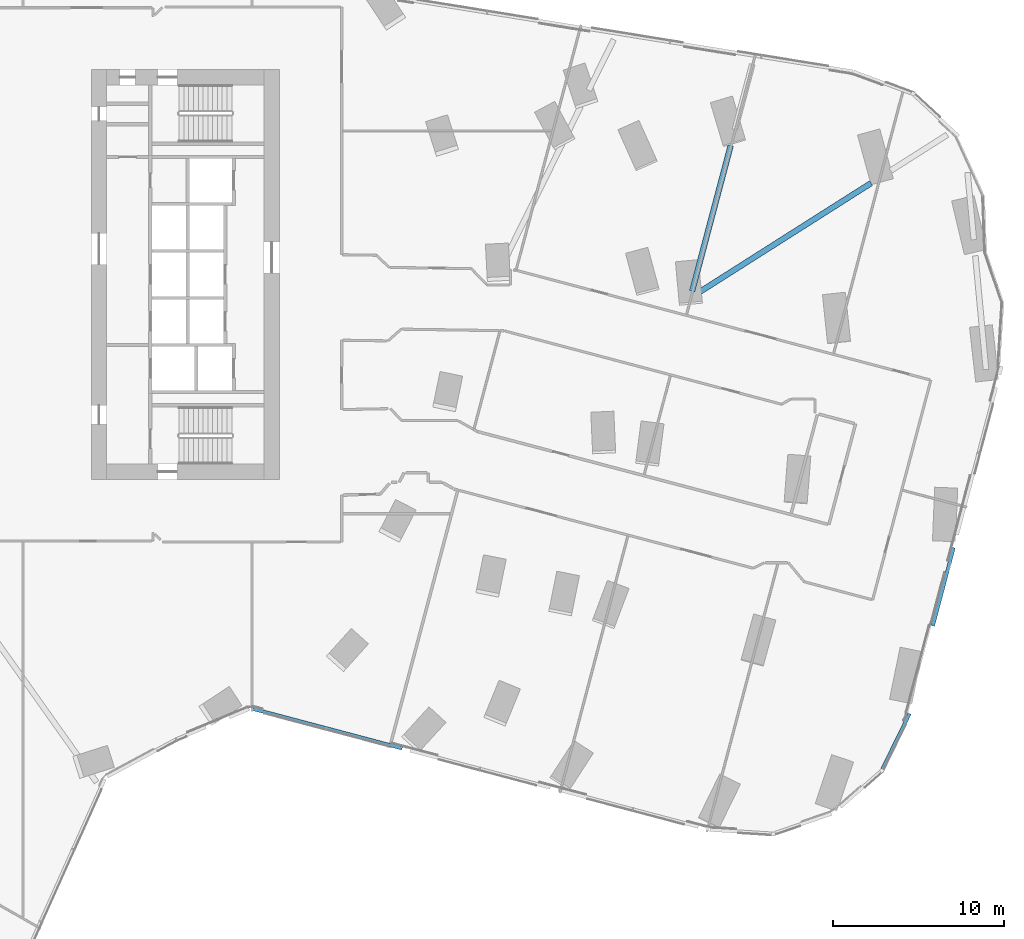
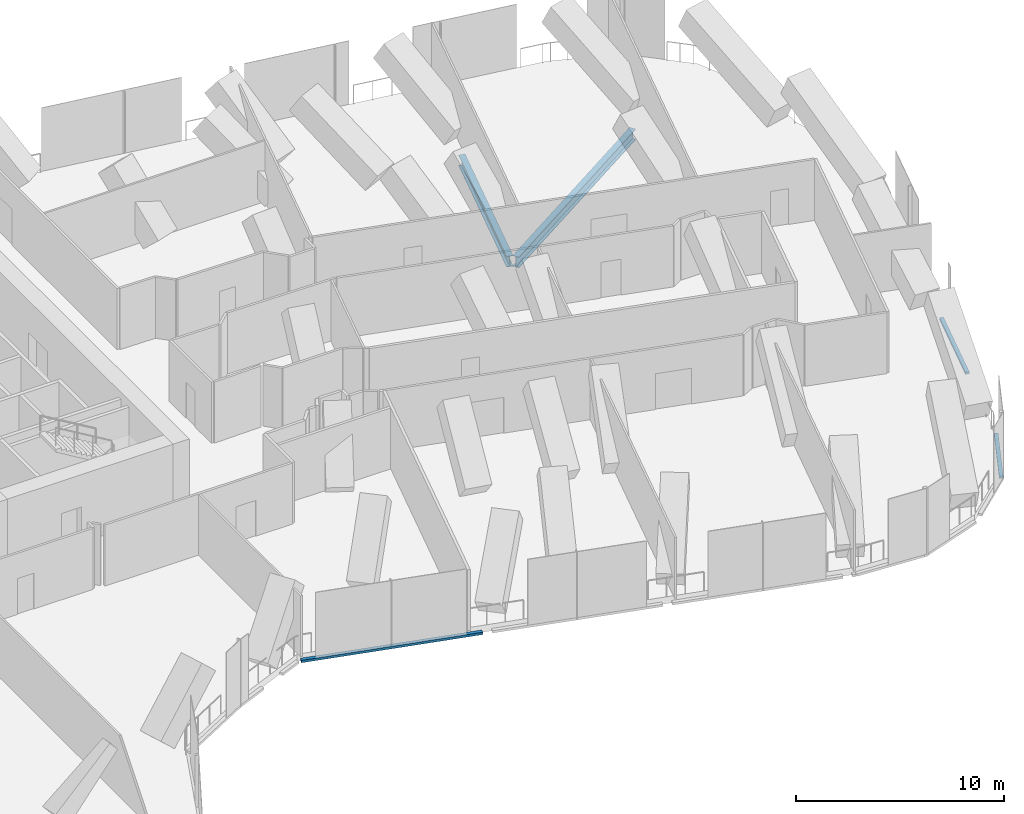
# One storey, part 10 of 37: 3 members, 2 beams, 3 elements without a shape of their own.
"""IFC4 building model written with IfcOpenShell, lengths in metres."""

from ifc_helpers import new_model, si_unit, direction, frame, origin, origin_2d, place, context, subcontext, project, spatial, rectangle, i_section, extrude, material, material_profile, profile_set, type_object, element, aggregate, save


model = new_model("IFC4")

# Units and contexts
model_context = context("Model", 3, precision=1e-05, world=origin(), true_north=direction((0.0, 1.0)))
body_context = subcontext(model_context, "Body", "Model", "MODEL_VIEW")
ifc_project = project(units=[si_unit("LENGTHUNIT", "METRE"), si_unit("AREAUNIT", "SQUARE_METRE"), si_unit("VOLUMEUNIT", "CUBIC_METRE"), si_unit("PLANEANGLEUNIT", "RADIAN"), si_unit("MASSUNIT", "GRAM", prefix="KILO")], contexts=[model_context])

# Site, building, storey
site_placement = place(None, origin())
site = spatial("IfcSite", under=ifc_project, at=site_placement, CompositionType="ELEMENT")
building_placement = place(site_placement, origin())
building = spatial("IfcBuilding", under=site, at=building_placement, Name="Orlundy Tower", CompositionType="ELEMENT")
storey_placement = place(building_placement, frame((0.0, 0.0, 119.699951171875)))
storey = spatial("IfcBuildingStorey", under=building, at=storey_placement, Name="L30", CompositionType="ELEMENT", Elevation=119.699951171875)

# Beams
ifc_material_1 = material(Name="Steel ASTM A992 Gr 50", Category="steel")
ifc_material_profile_1 = material_profile(ifc_material_1, i_section(OverallWidth=0.3291015625, OverallDepth=0.635009765625, WebThickness=0.017822265625, FlangeThickness=0.031005859375, at=origin_2d()), Name="W24X162")
ifc_profile_set_1 = profile_set([ifc_material_profile_1], Name="Steel ASTM A992 Gr 50")
beam_type = type_object("IfcBeamType", Name="CANTILEVER GIRDER beam W24X162", PredefinedType="BEAM", material=ifc_profile_set_1)
beam_1_placement = place(storey_placement, frame((45.41015625, 7.5390625, -0.717529296875), z_axis=(-0.256076055379, -0.966656637003, 0.0), x_axis=(0.966656637003, -0.256076055379, 0.0)))
element("IfcBeam", 1, at=beam_1_placement, inside=storey, type_object=beam_type, Name="Back-span girder C-A5-2 L30", PredefinedType="BEAM", context=body_context, shape_type="SweptSolid", body=[
    extrude(i_section(OverallWidth=0.3291015625, OverallDepth=0.635009765625, WebThickness=0.017822265625, FlangeThickness=0.031005859375, at=origin_2d()), origin(), (0.0, 0.0, 1.0), 8.813232421875),
])
beam_2_placement = place(storey_placement, frame((53.62841796875, 5.34912109375, -0.717529296875), z_axis=(-0.844202261426, -0.536024758572, 0.0), x_axis=(0.536024758572, -0.844202261426, 0.0)))
element("IfcBeam", 2, at=beam_2_placement, inside=storey, type_object=beam_type, Name="Back-span girder C-A5-3 L30", PredefinedType="BEAM", context=body_context, shape_type="SweptSolid", body=[
    extrude(i_section(OverallWidth=0.3291015625, OverallDepth=0.635009765625, WebThickness=0.017822265625, FlangeThickness=0.031005859375, at=origin_2d()), origin(), (0.0, 0.0, 1.0), 12.12939453125),
])

# Curtain wall, member
ifc_material_2 = material(Name="Aluminium bronze anodised", Category="aluminium")
curtain_wall_type = type_object("IfcCurtainWallType", Name="CW5 wall", PredefinedType="NOTDEFINED", material=ifc_material_2)
curtain_wall_1_placement = place(storey_placement, origin())
curtain_wall_1 = element("IfcCurtainWall", 3, at=curtain_wall_1_placement, inside=storey, type_object=curtain_wall_type, Name="CW5 run 022", PredefinedType="NOTDEFINED")
ifc_material_3 = material(Name="Aluminium bronze anodised", Category="aluminium")
ifc_material_profile_2 = material_profile(ifc_material_3, rectangle(XDim=0.199951171875, YDim=0.139892578125, at=origin_2d()), Name="CW5 transom 200x140")
ifc_profile_set_2 = profile_set([ifc_material_profile_2], Name="Aluminium bronze anodised")
member_type = type_object("IfcMemberType", Name="CW5 transom 200x140", PredefinedType="USERDEFINED", material=ifc_profile_set_2)
member_1_placement = place(storey_placement, frame((58.4560546875, -15.985107421875, -0.329833984375), z_axis=(-0.255994533213, -0.966678229281, 0.0), x_axis=(0.966678229281, -0.255994533213, 0.0)))
member_1 = element("IfcMember", 4, at=member_1_placement, type_object=member_type, Name="CW5 transom", ObjectType="TRANSOM", PredefinedType="USERDEFINED", context=body_context, shape_type="SweptSolid", body=[
    extrude(rectangle(XDim=0.199951171875, YDim=0.139892578125, at=origin_2d()), origin(), (0.0, 0.0, 1.0), 4.738037109375),
])
aggregate(curtain_wall_1, [member_1])

curtain_wall_2_placement = place(storey_placement, origin())
curtain_wall_2 = element("IfcCurtainWall", 5, at=curtain_wall_2_placement, inside=storey, type_object=curtain_wall_type, Name="CW5 run 023", PredefinedType="NOTDEFINED")
member_2_placement = place(storey_placement, frame((55.879150390625, -25.69677734375, -0.329833984375), z_axis=(-0.439771528744, -0.898109682893, 0.0), x_axis=(0.898109682893, -0.439771528744, 0.0)))
member_2 = element("IfcMember", 6, at=member_2_placement, type_object=member_type, Name="CW5 transom", ObjectType="TRANSOM", PredefinedType="USERDEFINED", context=body_context, shape_type="SweptSolid", body=[
    extrude(rectangle(XDim=0.199951171875, YDim=0.139892578125, at=origin_2d()), origin(), (0.0, 0.0, 1.0), 3.60302734375),
])
aggregate(curtain_wall_2, [member_2])

curtain_wall_3_placement = place(storey_placement, origin())
curtain_wall_3 = element("IfcCurtainWall", 7, at=curtain_wall_3_placement, inside=storey, type_object=curtain_wall_type, Name="CW5 run 027", PredefinedType="NOTDEFINED")
member_3_placement = place(storey_placement, frame((26.18408203125, -27.7275390625, -0.329833984375), z_axis=(-0.966668646348, 0.256030717235, 0.0), x_axis=(-0.256030717235, -0.966668646348, 0.0)))
member_3 = element("IfcMember", 8, at=member_3_placement, type_object=member_type, Name="CW5 transom", ObjectType="TRANSOM", PredefinedType="USERDEFINED", context=body_context, shape_type="SweptSolid", body=[
    extrude(rectangle(XDim=0.199951171875, YDim=0.139892578125, at=origin_2d()), origin(), (0.0, 0.0, 1.0), 9.033935546875),
])
aggregate(curtain_wall_3, [member_3])

save(model, "model.ifc")
